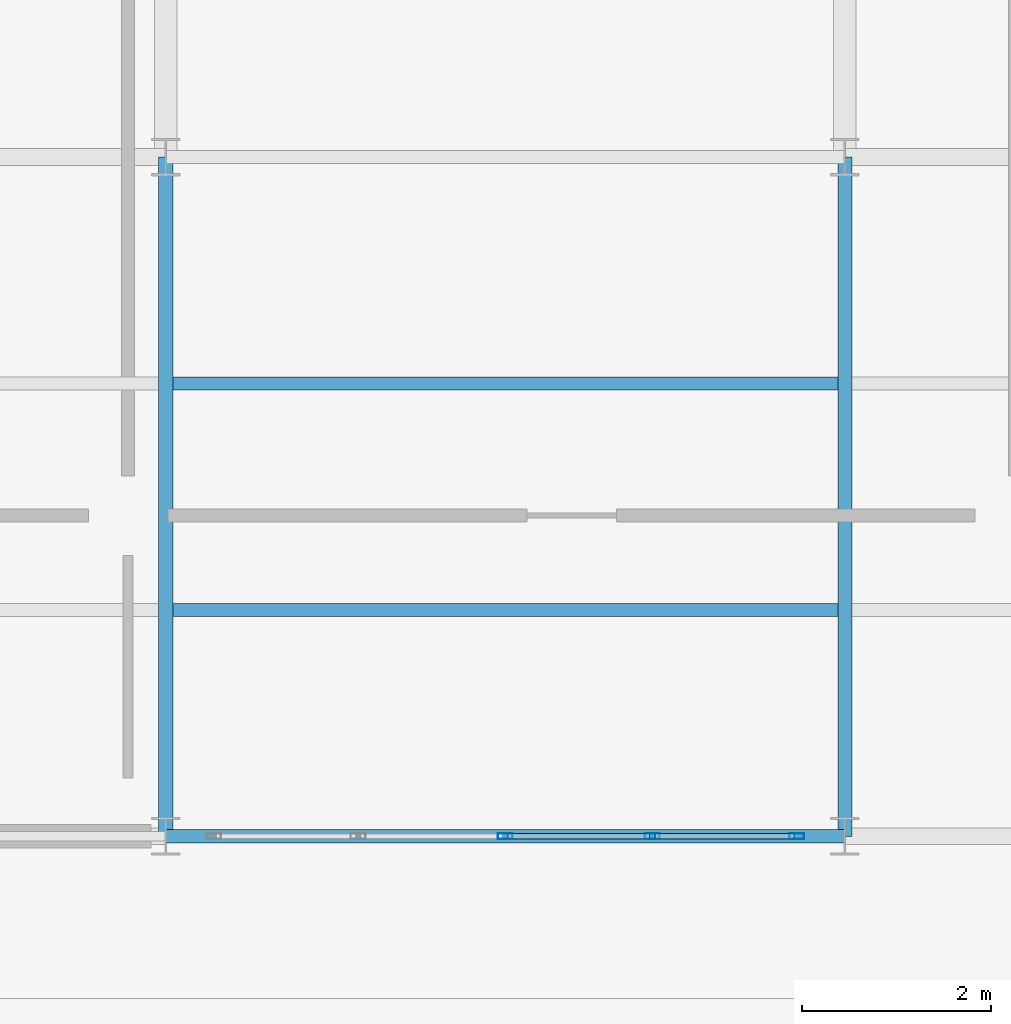
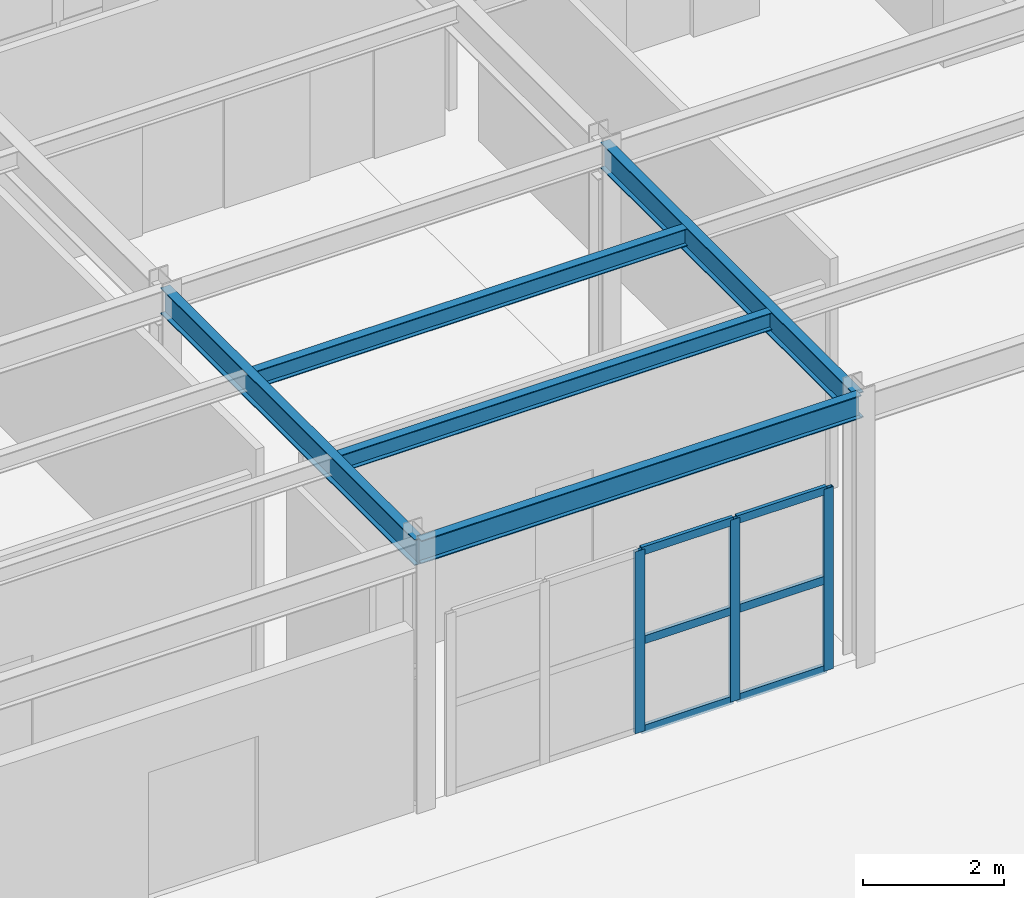
# One storey, part 20 of 41: 9 members, 5 beams, 1 element without a shape of its own.
"""IFC4 building model written with IfcOpenShell, lengths in metres."""

from ifc_helpers import new_model, si_unit, direction, frame, origin, origin_2d, place, context, subcontext, project, spatial, hollow_rectangle, i_section, extrude, material, layer, layer_set, material_profile, profile_set, type_object, element, aggregate, save


model = new_model("IFC4")

# Units and contexts
model_context = context("Model", 3, precision=1e-05, world=origin(), true_north=direction((0.0, 1.0)))
body_context = subcontext(model_context, "Body", "Model", "MODEL_VIEW")
ifc_project = project(units=[si_unit("LENGTHUNIT", "METRE"), si_unit("AREAUNIT", "SQUARE_METRE"), si_unit("VOLUMEUNIT", "CUBIC_METRE"), si_unit("PLANEANGLEUNIT", "RADIAN"), si_unit("MASSUNIT", "GRAM", prefix="KILO")], contexts=[model_context])

# Site, building, storey
site_placement = place(None, origin())
site = spatial("IfcSite", under=ifc_project, at=site_placement, CompositionType="ELEMENT")
building_placement = place(site_placement, origin())
building = spatial("IfcBuilding", under=site, at=building_placement, Name="Solvadek Multi-Sports Hall", CompositionType="ELEMENT")
storey_placement = place(building_placement, frame((0.0, 0.0, 14.39990234375)))
storey = spatial("IfcBuildingStorey", under=building, at=storey_placement, Name="L03", CompositionType="ELEMENT", Elevation=14.39990234375)

# Curtain wall, members
ifc_material_1 = material(Name="Anodised aluminium", Category="aluminium")
ifc_layer = layer(ifc_material_1, 0.159912109375, Name="Anodised aluminium")
ifc_layer_set = layer_set([ifc_layer], Name="Anodised aluminium")
curtain_wall_type = type_object("IfcCurtainWallType", Name="ENV-CW-624X315", PredefinedType="USERDEFINED", material=ifc_layer_set)
curtain_wall_placement = place(storey_placement, origin())
curtain_wall = element("IfcCurtainWall", 1, at=curtain_wall_placement, inside=storey, type_object=curtain_wall_type, Name="L03 Perimeter Bay Curtain Wall #207", ObjectType="CURTAIN WALL", PredefinedType="USERDEFINED")
ifc_material_profile_1 = material_profile(ifc_material_1, hollow_rectangle(XDim=0.06005859375, YDim=0.159912109375, WallThickness=0.00390625, at=origin_2d()), Name="ALU-M 160x60x4")
ifc_profile_set_1 = profile_set([ifc_material_profile_1], Name="Anodised aluminium")
member_type_1 = type_object("IfcMemberType", Name="ENV-CWM-01", PredefinedType="MULLION", material=ifc_profile_set_1)
member_1_placement = place(storey_placement, frame((46.800048828125, 85.199951171875, 0.0), z_axis=(0.0, 0.0, 1.0), x_axis=(0.0, 1.0, 0.0)))
member_1 = element("IfcMember", 2, at=member_1_placement, type_object=member_type_1, Name="CW-44 mullion 3", PredefinedType="MULLION", context=body_context, shape_type="SweptSolid", body=[
    extrude(hollow_rectangle(XDim=0.06005859375, YDim=0.159912109375, WallThickness=0.00390625, at=origin_2d()), origin(), (0.0, 0.0, 1.0), 3.150146484375),
])
member_2_placement = place(storey_placement, frame((48.360107421875, 85.199951171875, 0.0), z_axis=(0.0, 0.0, 1.0), x_axis=(0.0, 1.0, 0.0)))
member_2 = element("IfcMember", 3, at=member_2_placement, type_object=member_type_1, Name="CW-44 mullion 4", PredefinedType="MULLION", context=body_context, shape_type="SweptSolid", body=[
    extrude(hollow_rectangle(XDim=0.06005859375, YDim=0.159912109375, WallThickness=0.00390625, at=origin_2d()), origin(), (0.0, 0.0, 1.0), 3.150146484375),
])
member_3_placement = place(storey_placement, frame((49.889892578125, 85.199951171875, 0.0), z_axis=(0.0, 0.0, 1.0), x_axis=(0.0, 1.0, 0.0)))
member_3 = element("IfcMember", 4, at=member_3_placement, type_object=member_type_1, Name="CW-44 mullion 5", PredefinedType="MULLION", context=body_context, shape_type="SweptSolid", body=[
    extrude(hollow_rectangle(XDim=0.06005859375, YDim=0.159912109375, WallThickness=0.00390625, at=origin_2d()), origin(), (0.0, 0.0, 1.0), 3.150146484375),
])
ifc_material_profile_2 = material_profile(ifc_material_1, hollow_rectangle(XDim=0.06005859375, YDim=0.139892578125, WallThickness=0.00390625, at=origin_2d()), Name="ALU-T 140x60x4")
ifc_profile_set_2 = profile_set([ifc_material_profile_2], Name="Anodised aluminium")
member_type_2 = type_object("IfcMemberType", Name="ENV-CWT-02", PredefinedType="USERDEFINED", material=ifc_profile_set_2)
member_4_placement = place(storey_placement, frame((46.830078125, 85.199951171875, 0.030029296875), z_axis=(1.0, 0.0, 0.0), x_axis=(0.0, 1.0, 0.0)))
member_4 = element("IfcMember", 5, at=member_4_placement, type_object=member_type_2, Name="CW-44 transom 3.1", ObjectType="TRANSOM", PredefinedType="USERDEFINED", context=body_context, shape_type="SweptSolid", body=[
    extrude(hollow_rectangle(XDim=0.06005859375, YDim=0.139892578125, WallThickness=0.00390625, at=origin_2d()), origin(), (0.0, 0.0, 1.0), 1.5),
])
member_5_placement = place(storey_placement, frame((46.830078125, 85.199951171875, 1.5751953125), z_axis=(1.0, 0.0, 0.0), x_axis=(0.0, 1.0, 0.0)))
member_5 = element("IfcMember", 6, at=member_5_placement, type_object=member_type_2, Name="CW-44 transom 3.2", ObjectType="TRANSOM", PredefinedType="USERDEFINED", context=body_context, shape_type="SweptSolid", body=[
    extrude(hollow_rectangle(XDim=0.06005859375, YDim=0.139892578125, WallThickness=0.00390625, at=origin_2d()), origin(), (0.0, 0.0, 1.0), 1.5),
])
member_6_placement = place(storey_placement, frame((46.830078125, 85.199951171875, 3.1201171875), z_axis=(1.0, 0.0, 0.0), x_axis=(0.0, 1.0, 0.0)))
member_6 = element("IfcMember", 7, at=member_6_placement, type_object=member_type_2, Name="CW-44 transom 3.3", ObjectType="TRANSOM", PredefinedType="USERDEFINED", context=body_context, shape_type="SweptSolid", body=[
    extrude(hollow_rectangle(XDim=0.06005859375, YDim=0.139892578125, WallThickness=0.00390625, at=origin_2d()), origin(), (0.0, 0.0, 1.0), 1.5),
])
member_7_placement = place(storey_placement, frame((48.389892578125, 85.199951171875, 0.030029296875), z_axis=(1.0, 0.0, 0.0), x_axis=(0.0, 1.0, 0.0)))
member_7 = element("IfcMember", 8, at=member_7_placement, type_object=member_type_2, Name="CW-44 transom 4.1", ObjectType="TRANSOM", PredefinedType="USERDEFINED", context=body_context, shape_type="SweptSolid", body=[
    extrude(hollow_rectangle(XDim=0.06005859375, YDim=0.139892578125, WallThickness=0.00390625, at=origin_2d()), origin(), (0.0, 0.0, 1.0), 1.47021484375),
])
member_8_placement = place(storey_placement, frame((48.389892578125, 85.199951171875, 1.5751953125), z_axis=(1.0, 0.0, 0.0), x_axis=(0.0, 1.0, 0.0)))
member_8 = element("IfcMember", 9, at=member_8_placement, type_object=member_type_2, Name="CW-44 transom 4.2", ObjectType="TRANSOM", PredefinedType="USERDEFINED", context=body_context, shape_type="SweptSolid", body=[
    extrude(hollow_rectangle(XDim=0.06005859375, YDim=0.139892578125, WallThickness=0.00390625, at=origin_2d()), origin(), (0.0, 0.0, 1.0), 1.47021484375),
])
member_9_placement = place(storey_placement, frame((48.389892578125, 85.199951171875, 3.1201171875), z_axis=(1.0, 0.0, 0.0), x_axis=(0.0, 1.0, 0.0)))
member_9 = element("IfcMember", 10, at=member_9_placement, type_object=member_type_2, Name="CW-44 transom 4.3", ObjectType="TRANSOM", PredefinedType="USERDEFINED", context=body_context, shape_type="SweptSolid", body=[
    extrude(hollow_rectangle(XDim=0.06005859375, YDim=0.139892578125, WallThickness=0.00390625, at=origin_2d()), origin(), (0.0, 0.0, 1.0), 1.47021484375),
])
aggregate(curtain_wall, [member_1, member_2, member_3, member_4, member_5, member_6, member_7, member_8, member_9])

# Beams
ifc_material_2 = material(Name="Steel E350 (350 MPa)", Category="steel")
ifc_material_profile_3 = material_profile(ifc_material_2, i_section(OverallWidth=0.139892578125, OverallDepth=0.39990234375, WebThickness=0.0087890625, FlangeThickness=0.01611328125, at=origin_2d()), Name="ISMB 400")
ifc_profile_set_3 = profile_set([ifc_material_profile_3], Name="Steel E350 (350 MPa)")
beam_type_1 = type_object("IfcBeamType", Name="STR-BM-ISMB400", PredefinedType="BEAM", material=ifc_profile_set_3)
beam_placement = place(storey_placement, frame((43.199951171875, 85.199951171875, 4.400146484375), z_axis=(1.0, 0.0, 0.0), x_axis=(0.0, 1.0, 0.0)))
element("IfcBeam", 11, at=beam_placement, inside=storey, type_object=beam_type_1, Name="L03 Girder B-10 #1634", PredefinedType="BEAM", context=body_context, shape_type="SweptSolid", body=[
    extrude(i_section(OverallWidth=0.139892578125, OverallDepth=0.39990234375, WebThickness=0.0087890625, FlangeThickness=0.01611328125, at=origin_2d()), origin(), (0.0, 0.0, 1.0), 7.199951171875),
])
ifc_material_profile_4 = material_profile(ifc_material_2, i_section(OverallWidth=0.14990234375, OverallDepth=0.449951171875, WebThickness=0.009521484375, FlangeThickness=0.017333984375, at=origin_2d()), Name="ISMB 450")
ifc_profile_set_4 = profile_set([ifc_material_profile_4], Name="Steel E350 (350 MPa)")
beam_type_2 = type_object("IfcBeamType", Name="STR-BM-ISMB450", PredefinedType="BEAM", material=ifc_profile_set_4)
for number, where, z_axis, x_axis, name in (
    (12, (43.199951171875, 85.199951171875, 4.375), (0.0, 1.0, 0.0), (-1.0, 0.0, 0.0), "L03 Girder B-09 #1668"),
    (13, (50.39990234375, 85.199951171875, 4.375), (0.0, 1.0, 0.0), (-1.0, 0.0, 0.0), "L03 Girder B-09 #1670"),
):
    element("IfcBeam", number, at=place(storey_placement, frame(where, z_axis=z_axis, x_axis=x_axis)), inside=storey, type_object=beam_type_2, Name=name, PredefinedType="BEAM", context=body_context, shape_type="SweptSolid", body=[
        extrude(i_section(OverallWidth=0.14990234375, OverallDepth=0.449951171875, WebThickness=0.009521484375, FlangeThickness=0.017333984375, at=origin_2d()), origin(), (0.0, 0.0, 1.0), 7.199951171875),
    ])
ifc_material_profile_5 = material_profile(ifc_material_2, i_section(OverallWidth=0.139892578125, OverallDepth=0.300048828125, WebThickness=0.0078125, FlangeThickness=0.01318359375, at=origin_2d()), Name="ISMB 300")
ifc_profile_set_5 = profile_set([ifc_material_profile_5], Name="Steel E350 (350 MPa)")
beam_type_3 = type_object("IfcBeamType", Name="STR-JST-ISMB300", PredefinedType="JOIST", material=ifc_profile_set_5)
for number, where, z_axis, x_axis, name in (
    (14, (43.27490234375, 87.60009765625, 4.4501953125), (1.0, 0.0, 0.0), (0.0, 1.0, 0.0), "L03 Composite Joist J-03 #930"),
    (15, (43.27490234375, 90.0, 4.4501953125), (1.0, 0.0, 0.0), (0.0, 1.0, 0.0), "L03 Composite Joist J-03 #931"),
):
    element("IfcBeam", number, at=place(storey_placement, frame(where, z_axis=z_axis, x_axis=x_axis)), inside=storey, type_object=beam_type_3, Name=name, PredefinedType="JOIST", context=body_context, shape_type="SweptSolid", body=[
        extrude(i_section(OverallWidth=0.139892578125, OverallDepth=0.300048828125, WebThickness=0.0078125, FlangeThickness=0.01318359375, at=origin_2d()), origin(), (0.0, 0.0, 1.0), 7.050048828125),
    ])

save(model, "model.ifc")
